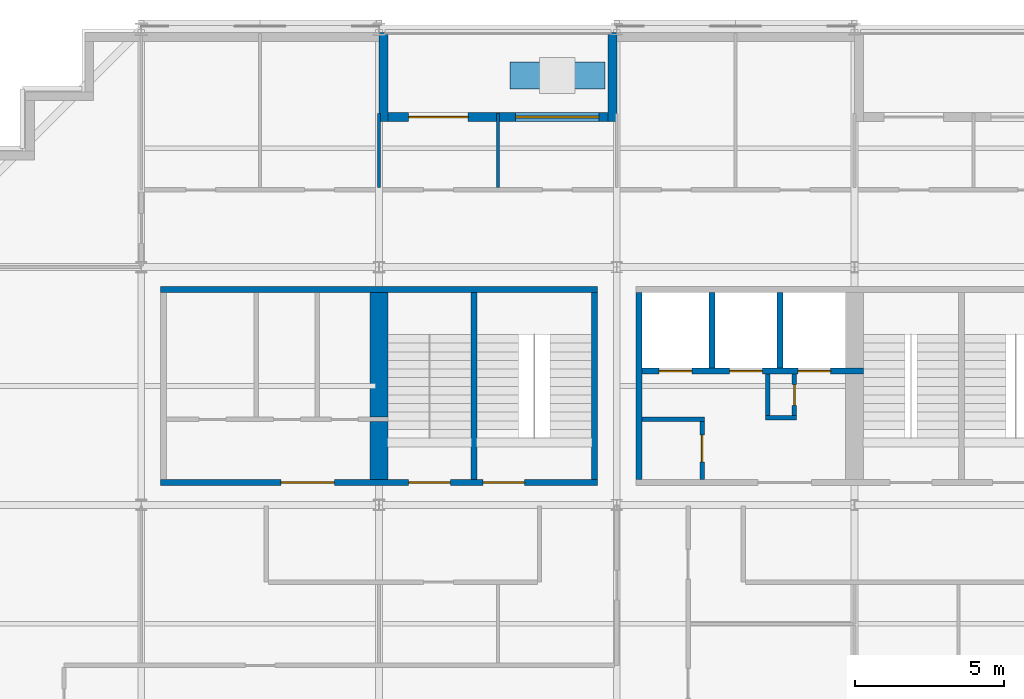
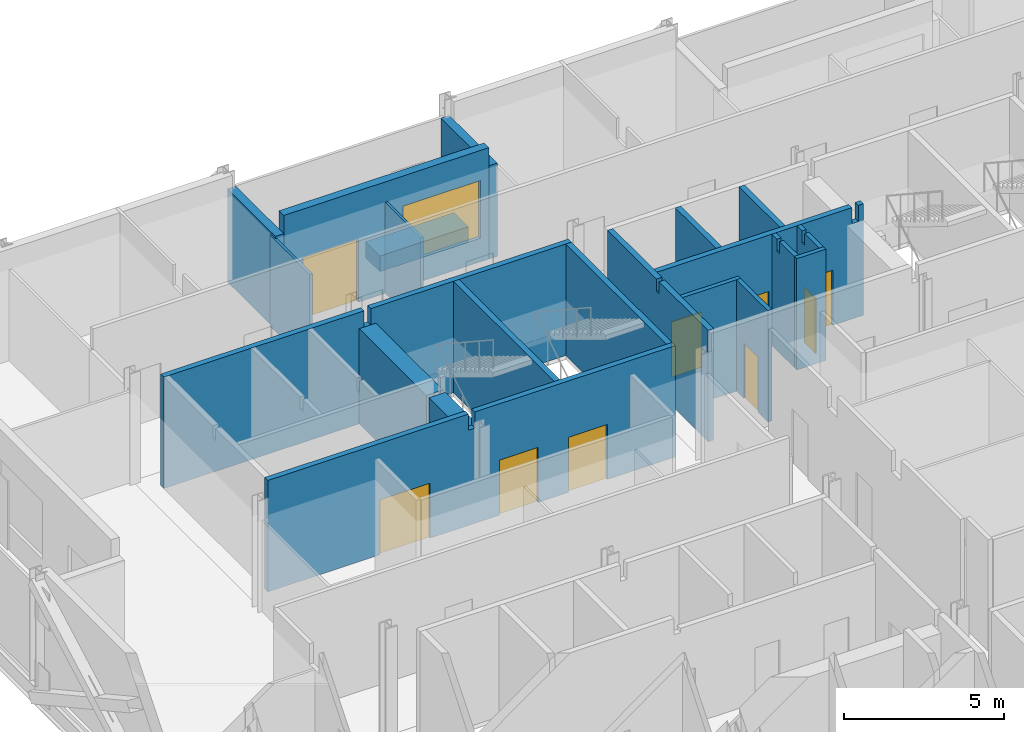
# One storey, part 10 of 15: 21 walls, 9 doors, 1 window, 10 openings.
"""IFC4 building model written with IfcOpenShell, lengths in metres."""

import ifcopenshell
import ifcopenshell.guid

model = None  # the IFC model being written
_history = None  # IfcOwnerHistory: only IFC2X3 demands one
_inside = {}  # id of a spatial element -> (the spatial element, [elements in it])
_under = {}  # id of a project, library or spatial element -> (it, [spatial elements below it])
_declared = {}  # id of a project -> (the project, [libraries it declares])
_typed = {}  # id of a type object -> (the type object, [elements of that type])
_made_of = {}  # id of a material, layer set ... -> (it, [elements and type objects made of it])


def new_model(schema):
    """Start an empty IFC model of exactly this schema.

    Asked for "IFC4X3", IfcOpenShell would pick the latest addendum, in which some entities
    have other attributes; the version numbers below select the first issue.
    IFC2X3 requires an IfcOwnerHistory on every rooted entity: one is made here for all.
    """
    global model, _history
    if schema == "IFC4X3":
        model = ifcopenshell.file(schema_version=(4, 3, 0, 0))
    else:
        model = ifcopenshell.file(schema=schema)
    _inside.clear()
    _under.clear()
    _declared.clear()
    _typed.clear()
    _made_of.clear()
    _history = None
    if model.schema == "IFC2X3":
        org = make("IfcOrganization", Name="unknown")
        user = make(
            "IfcPersonAndOrganization",
            ThePerson=make("IfcPerson", FamilyName="unknown"),
            TheOrganization=org,
        )
        app = make(
            "IfcApplication",
            ApplicationDeveloper=org,
            Version="unknown",
            ApplicationFullName="unknown",
            ApplicationIdentifier="unknown",
        )
        _history = make(
            "IfcOwnerHistory",
            OwningUser=user,
            OwningApplication=app,
            ChangeAction="ADDED",
            CreationDate=0,
        )
    return model


def make(cls, **values):
    """One entity of the class cls with the attributes given. An attribute that is None is left unset."""
    return model.create_entity(
        cls, **{name: value for name, value in values.items() if value is not None}
    )


def rooted(cls, **values):
    """An entity with a GlobalId (a new one), such as an element, a storey or a relation."""
    return make(cls, GlobalId=ifcopenshell.guid.new(), OwnerHistory=_history, **values)


def si_unit(unit_type, name, prefix=None):
    """IfcSIUnit, for example si_unit("LENGTHUNIT", "METRE", prefix="MILLI")."""
    return make("IfcSIUnit", UnitType=unit_type, Prefix=prefix, Name=name)


def assignment(units):
    """IfcUnitAssignment: the units of a project."""
    return None if units is None else make("IfcUnitAssignment", Units=units)


def point(xyz):
    """IfcCartesianPoint."""
    return None if xyz is None else make("IfcCartesianPoint", Coordinates=xyz)


def direction(xyz):
    """IfcDirection."""
    return None if xyz is None else make("IfcDirection", DirectionRatios=xyz)


def frame(location, z_axis=None, x_axis=None):
    """IfcAxis2Placement3D, a coordinate frame: its origin and axes. An axis left out is left unset."""
    return make(
        "IfcAxis2Placement3D",
        Location=point(location),
        Axis=direction(z_axis),
        RefDirection=direction(x_axis),
    )


def frame_2d(location, x_axis=None):
    """IfcAxis2Placement2D, a coordinate frame in the plane: its origin and x axis."""
    return make(
        "IfcAxis2Placement2D", Location=point(location), RefDirection=direction(x_axis)
    )


def origin():
    """The frame at (0, 0, 0) with its axes left unset."""
    return frame((0.0, 0.0, 0.0))


def place(relative_to, where):
    """IfcLocalPlacement: puts the frame where relative to a parent placement (None: the world)."""
    return make(
        "IfcLocalPlacement", PlacementRelTo=relative_to, RelativePlacement=where
    )


def context(
    kind, dimensions, precision=None, world=None, true_north=None, identifier=None
):
    """IfcGeometricRepresentationContext, for example the 3D "Model" context."""
    return make(
        "IfcGeometricRepresentationContext",
        ContextIdentifier=identifier,
        ContextType=kind,
        CoordinateSpaceDimension=dimensions,
        Precision=precision,
        WorldCoordinateSystem=world,
        TrueNorth=true_north,
    )


def subcontext(parent, identifier, kind, view, scale=None):
    """IfcGeometricRepresentationSubContext, for example "Body" below "Model"."""
    return make(
        "IfcGeometricRepresentationSubContext",
        ContextIdentifier=identifier,
        ContextType=kind,
        ParentContext=parent,
        TargetScale=scale,
        TargetView=view,
    )


def project(units=None, contexts=None):
    """IfcProject with its units and contexts."""
    return rooted(
        "IfcProject",
        Name="project",
        RepresentationContexts=contexts,
        UnitsInContext=assignment(units),
    )


def spatial(cls, under=None, at=None, **own):
    """A site, building, storey or space (cls), placed at a placement, below another one or the project."""
    s = rooted(cls, ObjectPlacement=at, **own)
    if under is not None:
        _under.setdefault(under.id(), (under, []))[1].append(s)
    return s


def polyline(points):
    """IfcPolyline through the points."""
    return make("IfcPolyline", Points=[point(p) for p in points])


def profile(cls, at=None, kind="AREA", **sizes):
    """A parametric profile (cls). Its sizes go by their IFC names, for example OverallWidth=200.0."""
    return make(cls, ProfileType=kind, Position=at, **sizes)


def rectangle(**sizes):
    """IfcRectangleProfileDef."""
    return profile("IfcRectangleProfileDef", **sizes)


def outline(outer, holes=None, kind="AREA"):
    """IfcArbitraryClosedProfileDef: a profile drawn as a closed curve; with holes, ...WithVoids."""
    if holes is None:
        return make("IfcArbitraryClosedProfileDef", ProfileType=kind, OuterCurve=outer)
    return make(
        "IfcArbitraryProfileDefWithVoids",
        ProfileType=kind,
        OuterCurve=outer,
        InnerCurves=holes,
    )


def extrude(swept, where, along, depth):
    """IfcExtrudedAreaSolid: the profile swept, set in the frame where, extruded along a direction by depth."""
    return make(
        "IfcExtrudedAreaSolid",
        SweptArea=swept,
        Position=where,
        ExtrudedDirection=direction(along),
        Depth=depth,
    )


def shape(context_of_items, identifier, shape_type, items):
    """IfcShapeRepresentation: the items that make up one representation, for example the "Body"."""
    return make(
        "IfcShapeRepresentation",
        ContextOfItems=context_of_items,
        RepresentationIdentifier=identifier,
        RepresentationType=shape_type,
        Items=items,
    )


def material(Name=None, Category=None):
    """IfcMaterial."""
    return make("IfcMaterial", Name=Name, Category=Category)


def layer(
    of_material, thickness, ventilated=None, Name=None, Category=None, Priority=None
):
    """IfcMaterialLayer: one layer of a wall or slab, of a material (None: an air gap)."""
    return make(
        "IfcMaterialLayer",
        Material=of_material,
        LayerThickness=thickness,
        IsVentilated=ventilated,
        Name=Name,
        Category=Category,
        Priority=Priority,
    )


def layer_set(layers, Name=None):
    """IfcMaterialLayerSet."""
    return make("IfcMaterialLayerSet", MaterialLayers=layers, LayerSetName=Name)


def made_of(thing, what):
    """Note that an element or type object is made of a material, layer set ...; save() writes the relation."""
    if what is not None:
        _made_of.setdefault(what.id(), (what, []))[1].append(thing)
    return thing


def type_object(cls, material=None, **own):
    """A type object (cls), such as IfcWallType, which elements share."""
    return made_of(rooted(cls, **own), material)


def element(
    cls,
    number,
    at=None,
    inside=None,
    cuts=None,
    type_object=None,
    material=None,
    context=None,
    identifier="Body",
    shape_type=None,
    held_by="IfcProductDefinitionShape",
    body=None,
    shapes=None,
    **own,
):
    """One element of the class cls, such as IfcWall. Its Tag is "e" and its number.

    at: its placement. inside: the storey or other place that contains it. cuts: it is an
    opening in that element (IfcRelVoidsElement). A single representation is given by context,
    identifier, shape_type and body (its items); several are given by shapes. held_by: the class
    of the entity that holds the representations. save() writes the other relations.
    """
    e = rooted(cls, Tag="e%d" % number, ObjectPlacement=at, **own)
    if body is not None:
        shapes = [shape(context, identifier, shape_type, body)]
    if shapes is not None:
        e.Representation = make(held_by, Representations=shapes)
    if inside is not None:
        _inside.setdefault(inside.id(), (inside, []))[1].append(e)
    if cuts is not None:
        rooted(
            "IfcRelVoidsElement", RelatingBuildingElement=cuts, RelatedOpeningElement=e
        )
    if type_object is not None:
        _typed.setdefault(type_object.id(), (type_object, []))[1].append(e)
    return made_of(e, material)


def fill(opening, filler):
    """IfcRelFillsElement: the door or window that sits in an opening."""
    return rooted(
        "IfcRelFillsElement",
        RelatingOpeningElement=opening,
        RelatedBuildingElement=filler,
    )


def aggregate(whole, parts):
    """IfcRelAggregates: a whole, such as a stair, and the parts it consists of."""
    return rooted("IfcRelAggregates", RelatingObject=whole, RelatedObjects=parts)


def save(model, path):
    """Write the relations noted so far, then the file.

    IfcRelAggregates (storeys below a building ...), IfcRelContainedInSpatialStructure (elements
    in a storey), IfcRelDefinesByType, IfcRelAssociatesMaterial and IfcRelDeclares: one each for
    every whole, place, type object, material and project.
    """
    for whole, parts in _under.values():
        aggregate(whole, parts)
    for where, things in _inside.values():
        rooted(
            "IfcRelContainedInSpatialStructure",
            RelatedElements=things,
            RelatingStructure=where,
        )
    for kind, things in _typed.values():
        rooted("IfcRelDefinesByType", RelatedObjects=things, RelatingType=kind)
    for what, things in _made_of.values():
        rooted("IfcRelAssociatesMaterial", RelatedObjects=things, RelatingMaterial=what)
    for by, libraries in _declared.values():
        rooted("IfcRelDeclares", RelatingContext=by, RelatedDefinitions=libraries)
    model.write(path)


model = new_model("IFC4")

# Units and contexts
model_context = context("Model", 3, precision=1e-05, world=origin(), true_north=direction((0.0, 1.0)))
body_context = subcontext(model_context, "Body", "Model", "MODEL_VIEW")
ifc_project = project(units=[si_unit("LENGTHUNIT", "METRE"), si_unit("AREAUNIT", "SQUARE_METRE"), si_unit("VOLUMEUNIT", "CUBIC_METRE"), si_unit("PLANEANGLEUNIT", "RADIAN"), si_unit("MASSUNIT", "GRAM", prefix="KILO")], contexts=[model_context])

# Site, building, storey
site_placement = place(None, origin())
site = spatial("IfcSite", under=ifc_project, at=site_placement, CompositionType="ELEMENT")
building_placement = place(site_placement, origin())
building = spatial("IfcBuilding", under=site, at=building_placement, Name="Immortelle Media Tower", CompositionType="ELEMENT")
storey_placement = place(building_placement, frame((0.0, 0.0, 105.199951171875)))
storey = spatial("IfcBuildingStorey", under=building, at=storey_placement, Name="L20", CompositionType="ELEMENT", Elevation=105.199951171875)

# Wall
ifc_material_1 = material(Name="Fire-rated gypsum board", Category="gypsum")
ifc_layer_1 = layer(ifc_material_1, 0.02490234375)
ifc_material_2 = material(Name="Steel ASTM A653 SS Gr 50 stud frame with mineral wool", Category="steel")
ifc_layer_2 = layer(ifc_material_2, 0.10009765625)
ifc_layer_3 = layer(ifc_material_1, 0.02490234375)
ifc_layer_set_1 = layer_set([ifc_layer_1, ifc_layer_2, ifc_layer_3], Name="Steel ASTM A653 SS Gr 50 stud frame with mineral wool")
wall_type_1 = type_object("IfcWallType", Name="Core partition 150", PredefinedType="PARTITIONING", material=ifc_layer_set_1)
wall_1_placement = place(storey_placement, frame((24.85009765625, 34.875, 0.0), z_axis=(0.0, 0.0, 1.0), x_axis=(1.0, 0.0, 0.0)))
element("IfcWall", 1, at=wall_1_placement, inside=storey, type_object=wall_type_1, Name="Core partition NE", PredefinedType="PARTITIONING", context=body_context, shape_type="SweptSolid", body=[
    extrude(rectangle(XDim=2.099853515625, YDim=0.14990234375, at=frame_2d((1.0498046875, 0.0))), origin(), (0.0, 0.0, 1.0), 4.25),
])

# Wall, opening, door
wall_2_placement = place(storey_placement, frame((26.875, 32.85009765625, 0.0), z_axis=(0.0, 0.0, 1.0), x_axis=(0.0, 1.0, 0.0)))
wall_2 = element("IfcWall", 2, at=wall_2_placement, inside=storey, type_object=wall_type_1, Name="Core partition NE", PredefinedType="PARTITIONING", context=body_context, shape_type="SweptSolid", body=[
    extrude(rectangle(XDim=1.949951171875, YDim=0.14990234375, at=frame_2d((0.97509765625, 0.0))), origin(), (0.0, 0.0, 1.0), 4.25),
])
opening_1_placement = place(wall_2_placement, frame((0.60009765625, 0.0, 0.0)))
opening_1 = element("IfcOpeningElement", 3, at=opening_1_placement, cuts=wall_2, Name="Opening N7-K028", PredefinedType="OPENING", context=body_context, shape_type="SweptSolid", body=[
    extrude(rectangle(XDim=0.89990234375, YDim=2.10009765625, at=frame_2d((0.449951171875, 1.050048828125))), frame((0.0, 0.0849609375, 0.0), z_axis=(0.0, -1.0, 0.0), x_axis=(1.0, 0.0, 0.0)), (0.0, 0.0, 1.0), 0.169921875),
])
ifc_material_3 = material(Name="Galvanised steel door leaf and frame ASTM A653", Category="steel")
door_type_1 = type_object("IfcDoorType", Name="Service door 900 x 2100", OperationType="NOTDEFINED", PredefinedType="NOTDEFINED", material=ifc_material_3)
door_1_placement = place(opening_1_placement, origin())
door_1 = element("IfcDoor", 4, at=door_1_placement, inside=storey, type_object=door_type_1, Name="Service N7-K028", OperationType="SINGLE_SWING_LEFT", OverallHeight=2.10009765625, OverallWidth=0.89990234375, PredefinedType="NOTDEFINED", context=body_context, shape_type="SweptSolid", body=[
    extrude(rectangle(XDim=0.89990234375, YDim=2.10009765625, at=frame_2d((0.449951171875, 1.050048828125))), frame((0.0, 0.02490234375, 0.0), z_axis=(0.0, -1.0, 0.0), x_axis=(1.0, 0.0, 0.0)), (0.0, 0.0, 1.0), 0.050048828125),
])
fill(opening_1, door_1)

# Walls
wall_3_placement = place(storey_placement, frame((29.0, 34.925048828125, 0.0), z_axis=(0.0, 0.0, 1.0), x_axis=(1.0, 0.0, 0.0)))
element("IfcWall", 5, at=wall_3_placement, inside=storey, type_object=wall_type_1, Name="Core partition NE", PredefinedType="PARTITIONING", context=body_context, shape_type="SweptSolid", body=[
    extrude(rectangle(XDim=1.050048828125, YDim=0.14990234375, at=frame_2d((0.52490234375, 0.0))), origin(), (0.0, 0.0, 1.0), 4.25),
])
wall_4_placement = place(storey_placement, frame((29.074951171875, 35.0, 0.0), z_axis=(0.0, 0.0, 1.0), x_axis=(0.0, 1.0, 0.0)))
element("IfcWall", 6, at=wall_4_placement, inside=storey, type_object=wall_type_1, Name="Core partition NE", PredefinedType="PARTITIONING", context=body_context, shape_type="SweptSolid", body=[
    extrude(outline(polyline([(0.0, 0.0), (1.39990234375, 0.0), (1.39990234375, 4.25), (1.08154296875, 4.25), (1.08056640625, 3.7890625), (0.91943359375, 3.7890625), (0.91845703125, 4.25), (0.0, 4.25), (0.0, 0.0)])), frame((0.0, 0.074951171875, 0.0), z_axis=(0.0, -1.0, 0.0), x_axis=(1.0, 0.0, 0.0)), (0.0, 0.0, 1.0), 0.14990234375),
])

# Wall, opening, door
wall_5_placement = place(storey_placement, frame((29.97509765625, 35.0, 0.0), z_axis=(0.0, 0.0, 1.0), x_axis=(0.0, 1.0, 0.0)))
wall_5 = element("IfcWall", 7, at=wall_5_placement, inside=storey, type_object=wall_type_1, Name="Core partition NE", PredefinedType="PARTITIONING", context=body_context, shape_type="SweptSolid", body=[
    extrude(outline(polyline([(0.0, 0.0), (1.39990234375, 0.0), (1.39990234375, 4.25), (1.08154296875, 4.25), (1.08056640625, 3.7890625), (0.91943359375, 3.7890625), (0.91845703125, 4.25), (0.0, 4.25), (0.0, 0.0)])), frame((0.0, 0.074951171875, 0.0), z_axis=(0.0, -1.0, 0.0), x_axis=(1.0, 0.0, 0.0)), (0.0, 0.0, 1.0), 0.14990234375),
])
opening_2_placement = place(wall_5_placement, frame((0.35009765625, 0.0, 0.0)))
opening_2 = element("IfcOpeningElement", 8, at=opening_2_placement, cuts=wall_5, Name="Opening N7-K031", PredefinedType="OPENING", context=body_context, shape_type="SweptSolid", body=[
    extrude(rectangle(XDim=0.699951171875, YDim=2.10009765625, at=frame_2d((0.35009765625, 1.050048828125))), frame((0.0, 0.0849609375, 0.0), z_axis=(0.0, -1.0, 0.0), x_axis=(1.0, 0.0, 0.0)), (0.0, 0.0, 1.0), 0.169921875),
])
door_type_2 = type_object("IfcDoorType", Name="Service door 700 x 2100", OperationType="NOTDEFINED", PredefinedType="NOTDEFINED", material=ifc_material_3)
door_2_placement = place(opening_2_placement, origin())
door_2 = element("IfcDoor", 9, at=door_2_placement, inside=storey, type_object=door_type_2, Name="Service N7-K031", OperationType="SINGLE_SWING_LEFT", OverallHeight=2.10009765625, OverallWidth=0.699951171875, PredefinedType="NOTDEFINED", context=body_context, shape_type="SweptSolid", body=[
    extrude(rectangle(XDim=0.699951171875, YDim=2.10009765625, at=frame_2d((0.35009765625, 1.050048828125))), frame((0.0, 0.02490234375, 0.0), z_axis=(0.0, -1.0, 0.0), x_axis=(1.0, 0.0, 0.0)), (0.0, 0.0, 1.0), 0.050048828125),
])
fill(opening_2, door_2)

# Wall
ifc_layer_4 = layer(ifc_material_1, 0.03759765625)
ifc_layer_5 = layer(ifc_material_2, 0.125)
ifc_layer_6 = layer(ifc_material_1, 0.03759765625)
ifc_layer_set_2 = layer_set([ifc_layer_4, ifc_layer_5, ifc_layer_6], Name="Steel ASTM A653 SS Gr 50 stud frame with mineral wool")
wall_type_2 = type_object("IfcWallType", Name="Core shaft wall 200", PredefinedType="PARTITIONING", material=ifc_layer_set_2)
wall_6_placement = place(storey_placement, frame((24.75, 32.85009765625, 0.0), z_axis=(0.0, 0.0, 1.0), x_axis=(0.0, 1.0, 0.0)))
element("IfcWall", 10, at=wall_6_placement, inside=storey, type_object=wall_type_2, Name="Core shaft wall NE", PredefinedType="PARTITIONING", context=body_context, shape_type="SweptSolid", body=[
    extrude(outline(polyline([(0.0, 0.0), (6.2998046875, 0.0), (6.300048828125, 4.25), (3.2314453125, 4.25), (3.23046875, 3.7890625), (3.069580078125, 3.7890625), (3.068603515625, 4.25), (0.0, 4.25), (0.0, 0.0)])), frame((0.0, 0.10009765625, 0.0), z_axis=(0.0, -1.0, 0.0), x_axis=(1.0, 0.0, 0.0)), (0.0, 0.0, 1.0), 0.199951171875),
])

# Wall, openings, doors
wall_7_placement = place(storey_placement, frame((24.85009765625, 36.5, 0.0), z_axis=(0.0, 0.0, 1.0), x_axis=(1.0, 0.0, 0.0)))
wall_7 = element("IfcWall", 11, at=wall_7_placement, inside=storey, type_object=wall_type_2, Name="Core shaft wall NE", PredefinedType="PARTITIONING", context=body_context, shape_type="SweptSolid", body=[
    extrude(outline(polyline([(0.0, 0.0), (7.449951171875, 0.0), (7.449951171875, 4.25), (7.26953125, 4.25), (7.2685546875, 3.632080078125), (7.031494140625, 3.632080078125), (7.030517578125, 4.25), (0.0, 4.25), (0.0, 0.0)])), frame((0.0, 0.10009765625, 0.0), z_axis=(0.0, -1.0, 0.0), x_axis=(1.0, 0.0, 0.0)), (0.0, 0.0, 1.0), 0.199951171875),
])
opening_3_placement = place(wall_7_placement, frame((0.574951171875, 0.0, 0.0)))
opening_3 = element("IfcOpeningElement", 12, at=opening_3_placement, cuts=wall_7, Name="Opening LD", PredefinedType="OPENING", context=body_context, shape_type="SweptSolid", body=[
    extrude(rectangle(XDim=1.10009765625, YDim=2.10009765625, at=frame_2d((0.550048828125, 1.050048828125))), frame((0.0, 0.10986328125, 0.0), z_axis=(0.0, -1.0, 0.0), x_axis=(1.0, 0.0, 0.0)), (0.0, 0.0, 1.0), 0.219970703125),
])
opening_4_placement = place(wall_7_placement, frame((2.949951171875, 0.0, 0.0)))
opening_4 = element("IfcOpeningElement", 13, at=opening_4_placement, cuts=wall_7, Name="Opening LD", PredefinedType="OPENING", context=body_context, shape_type="SweptSolid", body=[
    extrude(rectangle(XDim=1.10009765625, YDim=2.10009765625, at=frame_2d((0.550048828125, 1.050048828125))), frame((0.0, 0.10986328125, 0.0), z_axis=(0.0, -1.0, 0.0), x_axis=(1.0, 0.0, 0.0)), (0.0, 0.0, 1.0), 0.219970703125),
])
opening_5_placement = place(wall_7_placement, frame((5.25, 0.0, 0.0)))
opening_5 = element("IfcOpeningElement", 14, at=opening_5_placement, cuts=wall_7, Name="Opening LD", PredefinedType="OPENING", context=body_context, shape_type="SweptSolid", body=[
    extrude(rectangle(XDim=1.10009765625, YDim=2.10009765625, at=frame_2d((0.550048828125, 1.050048828125))), frame((0.0, 0.10986328125, 0.0), z_axis=(0.0, -1.0, 0.0), x_axis=(1.0, 0.0, 0.0)), (0.0, 0.0, 1.0), 0.219970703125),
])
ifc_material_4 = material(Name="Stainless steel AISI 304", Category="steel")
door_type_3 = type_object("IfcDoorType", Name="Landing door 1100 x 2100", OperationType="SLIDING_TO_LEFT", PredefinedType="NOTDEFINED", material=ifc_material_4)
door_3_placement = place(opening_3_placement, origin())
door_3 = element("IfcDoor", 15, at=door_3_placement, inside=storey, type_object=door_type_3, Name="Landing door LR1 L20", OperationType="SLIDING_TO_LEFT", OverallHeight=2.10009765625, OverallWidth=1.10009765625, PredefinedType="NOTDEFINED", context=body_context, shape_type="SweptSolid", body=[
    extrude(rectangle(XDim=1.10009765625, YDim=2.10009765625, at=frame_2d((0.550048828125, 1.050048828125))), frame((0.0, 0.02490234375, 0.0), z_axis=(0.0, -1.0, 0.0), x_axis=(1.0, 0.0, 0.0)), (0.0, 0.0, 1.0), 0.050048828125),
])
fill(opening_3, door_3)
door_4_placement = place(opening_4_placement, origin())
door_4 = element("IfcDoor", 16, at=door_4_placement, inside=storey, type_object=door_type_3, Name="Landing door LR2 L20", OperationType="SLIDING_TO_LEFT", OverallHeight=2.10009765625, OverallWidth=1.10009765625, PredefinedType="NOTDEFINED", context=body_context, shape_type="SweptSolid", body=[
    extrude(rectangle(XDim=1.10009765625, YDim=2.10009765625, at=frame_2d((0.550048828125, 1.050048828125))), frame((0.0, 0.02490234375, 0.0), z_axis=(0.0, -1.0, 0.0), x_axis=(1.0, 0.0, 0.0)), (0.0, 0.0, 1.0), 0.050048828125),
])
fill(opening_4, door_4)
door_5_placement = place(opening_5_placement, origin())
door_5 = element("IfcDoor", 17, at=door_5_placement, inside=storey, type_object=door_type_3, Name="Landing door LR3 L20", OperationType="SLIDING_TO_LEFT", OverallHeight=2.10009765625, OverallWidth=1.10009765625, PredefinedType="NOTDEFINED", context=body_context, shape_type="SweptSolid", body=[
    extrude(rectangle(XDim=1.10009765625, YDim=2.10009765625, at=frame_2d((0.550048828125, 1.050048828125))), frame((0.0, 0.02490234375, 0.0), z_axis=(0.0, -1.0, 0.0), x_axis=(1.0, 0.0, 0.0)), (0.0, 0.0, 1.0), 0.050048828125),
])
fill(opening_5, door_5)

# Walls
for number, where, z_axis, x_axis, name in (
    (18, (27.199951171875, 36.60009765625, 0.0), (0.0, 0.0, 1.0), (0.0, 1.0, 0.0), "Core shaft wall NE"),
    (19, (29.5, 36.60009765625, 0.0), (0.0, 0.0, 1.0), (0.0, 1.0, 0.0), "Core shaft wall NE"),
):
    element("IfcWall", number, at=place(storey_placement, frame(where, z_axis=z_axis, x_axis=x_axis)), inside=storey, type_object=wall_type_2, Name=name, PredefinedType="PARTITIONING", context=body_context, shape_type="SweptSolid", body=[
        extrude(rectangle(XDim=2.5498046875, YDim=0.199951171875, at=frame_2d((1.27490234375, 0.0))), origin(), (0.0, 0.0, 1.0), 4.25),
    ])

# Wall, openings, door, window
ifc_material_5 = material(Name="Pale aluminium cladding panel", Category="aluminium")
ifc_layer_7 = layer(ifc_material_5, 0.030029296875)
ifc_layer_8 = layer(ifc_material_2, 0.257568359375)
ifc_material_6 = material(Name="Moisture-resistant gypsum board", Category="gypsum")
ifc_layer_9 = layer(ifc_material_6, 0.012451171875)
ifc_layer_set_3 = layer_set([ifc_layer_7, ifc_layer_8, ifc_layer_9], Name="Steel ASTM A653 SS Gr 50 stud frame with mineral wool")
wall_type_3 = type_object("IfcWallType", Name="Facade wall 300", PredefinedType="SOLIDWALL", material=ifc_layer_set_3)
wall_8_placement = place(storey_placement, frame((23.699951171875, 45.050048828125, 0.0), z_axis=(0.0, 0.0, 1.0), x_axis=(-1.0, 0.0, 0.0)))
wall_8 = element("IfcWall", 20, at=wall_8_placement, inside=storey, type_object=wall_type_3, Name="Loggia wall L20 N21", PredefinedType="SOLIDWALL", context=body_context, shape_type="SweptSolid", body=[
    extrude(rectangle(XDim=7.39990234375, YDim=0.300048828125, at=frame_2d((3.699951171875, 0.0))), origin(), (0.0, 0.0, 1.0), 4.25),
])
opening_6_placement = place(wall_8_placement, frame((0.300048828125, 0.0, 0.89990234375)))
opening_6 = element("IfcOpeningElement", 21, at=opening_6_placement, cuts=wall_8, Name="Opening W1", PredefinedType="OPENING", context=body_context, shape_type="SweptSolid", body=[
    extrude(rectangle(XDim=2.800048828125, YDim=2.199951171875, at=frame_2d((1.39990234375, 1.10009765625))), frame((0.0, 0.159912109375, 0.0), z_axis=(0.0, -1.0, 0.0), x_axis=(1.0, 0.0, 0.0)), (0.0, 0.0, 1.0), 0.320068359375),
])
opening_7_placement = place(wall_8_placement, frame((4.699951171875, 0.0, 0.0)))
opening_7 = element("IfcOpeningElement", 22, at=opening_7_placement, cuts=wall_8, Name="Opening N7-E008", PredefinedType="OPENING", context=body_context, shape_type="SweptSolid", body=[
    extrude(rectangle(XDim=2.0, YDim=2.39990234375, at=frame_2d((1.0, 1.199951171875))), frame((0.0, 0.159912109375, 0.0), z_axis=(0.0, -1.0, 0.0), x_axis=(1.0, 0.0, 0.0)), (0.0, 0.0, 1.0), 0.320068359375),
])
ifc_material_7 = material(Name="Aluminium frame, glazed leaves", Category="aluminium")
door_type_4 = type_object("IfcDoorType", Name="Loggia door 2000 x 2400", OperationType="DOUBLE_DOOR_SINGLE_SWING", PredefinedType="DOOR", material=ifc_material_7)
door_6_placement = place(opening_7_placement, origin())
door_6 = element("IfcDoor", 23, at=door_6_placement, inside=storey, type_object=door_type_4, Name="Door N7-E008", OperationType="DOUBLE_DOOR_SINGLE_SWING", OverallHeight=2.39990234375, OverallWidth=2.0, PredefinedType="DOOR", context=body_context, shape_type="SweptSolid", body=[
    extrude(rectangle(XDim=2.0, YDim=2.39990234375, at=frame_2d((1.0, 1.199951171875))), frame((0.0, 0.02490234375, 0.0), z_axis=(0.0, -1.0, 0.0), x_axis=(1.0, 0.0, 0.0)), (0.0, 0.0, 1.0), 0.050048828125),
])
fill(opening_7, door_6)
ifc_material_8 = material(Name="Aluminium frame", Category="aluminium")
window_type = type_object("IfcWindowType", Name="Window 2800 x 2200", PartitioningType="SINGLE_PANEL", PredefinedType="WINDOW", material=ifc_material_8)
window_placement = place(opening_6_placement, origin())
window = element("IfcWindow", 24, at=window_placement, inside=storey, type_object=window_type, Name="Window L20 L20-R21-B2", OverallHeight=2.199951171875, OverallWidth=2.800048828125, PartitioningType="SINGLE_PANEL", PredefinedType="WINDOW", context=body_context, shape_type="SweptSolid", body=[
    extrude(rectangle(XDim=2.800048828125, YDim=2.199951171875, at=frame_2d((1.39990234375, 1.10009765625))), frame((0.0, 0.030029296875, 0.0), z_axis=(0.0, -1.0, 0.0), x_axis=(1.0, 0.0, 0.0)), (0.0, 0.0, 1.0), 0.06005859375),
])
fill(opening_6, window)

# Walls
for number, where, z_axis, x_axis, name in (
    (25, (23.85009765625, 47.89990234375, 0.0), (0.0, 0.0, 1.0), (0.0, -1.0, 0.0), "Loggia cheek wall L20 N"),
    (26, (16.14990234375, 47.89990234375, 0.0), (0.0, 0.0, 1.0), (0.0, -1.0, 0.0), "Loggia cheek wall L20 N"),
):
    element("IfcWall", number, at=place(storey_placement, frame(where, z_axis=z_axis, x_axis=x_axis)), inside=storey, type_object=wall_type_3, Name=name, PredefinedType="SOLIDWALL", context=body_context, shape_type="SweptSolid", body=[
        extrude(rectangle(XDim=3.0, YDim=0.300048828125, at=frame_2d((1.5, 0.0))), origin(), (0.0, 0.0, 1.0), 3.55615234375),
    ])
ifc_material_9 = material(Name="Gypsum board", Category="gypsum")
ifc_layer_10 = layer(ifc_material_9, 0.012451171875)
ifc_layer_11 = layer(ifc_material_2, 0.074951171875)
ifc_layer_12 = layer(ifc_material_9, 0.012451171875)
ifc_layer_set_4 = layer_set([ifc_layer_10, ifc_layer_11, ifc_layer_12], Name="Steel ASTM A653 SS Gr 50 stud frame with mineral wool")
wall_type_4 = type_object("IfcWallType", Name="Partition 100", PredefinedType="PARTITIONING", material=ifc_layer_set_4)
for number, where, z_axis, x_axis, name in (
    (27, (16.0, 42.675048828125, 0.0), (0.0, 0.0, 1.0), (0.0, 1.0, 0.0), "Partition L20-048"),
    (28, (20.0, 42.675048828125, 0.0), (0.0, 0.0, 1.0), (0.0, 1.0, 0.0), "Partition L20-049"),
):
    element("IfcWall", number, at=place(storey_placement, frame(where, z_axis=z_axis, x_axis=x_axis)), inside=storey, type_object=wall_type_4, Name=name, PredefinedType="PARTITIONING", context=body_context, shape_type="SweptSolid", body=[
        extrude(rectangle(XDim=2.494873046875, YDim=0.10009765625, at=frame_2d((1.24755859375, 0.0))), origin(), (0.0, 0.0, 1.0), 3.469970703125),
    ])
ifc_layer_13 = layer(ifc_material_5, 0.0029296875)
ifc_material_10 = material(Name="Steel ASTM A572 Gr 50 planter shell", Category="steel")
ifc_layer_14 = layer(ifc_material_10, 0.011962890625)
ifc_material_11 = material(Name="Planting substrate", Category="soil")
ifc_layer_15 = layer(ifc_material_11, 0.873046875)
ifc_layer_16 = layer(ifc_material_10, 0.011962890625)
ifc_layer_set_5 = layer_set([ifc_layer_13, ifc_layer_14, ifc_layer_15, ifc_layer_16], Name="Steel ASTM A572 Gr 50 planter shell")
wall_type_5 = type_object("IfcWallType", Name="Planter wall 900", PredefinedType="SOLIDWALL", material=ifc_layer_set_5)
wall_9_placement = place(storey_placement, frame((23.60009765625, 46.449951171875, 0.0), z_axis=(0.0, 0.0, 1.0), x_axis=(-1.0, 0.0, 0.0)))
element("IfcWall", 29, at=wall_9_placement, inside=storey, type_object=wall_type_5, Name="Planter L20 N2", PredefinedType="SOLIDWALL", context=body_context, shape_type="SweptSolid", body=[
    extrude(rectangle(XDim=3.2001953125, YDim=0.89990234375, at=frame_2d((1.60009765625, 0.0))), origin(), (0.0, 0.0, 1.0), 0.60009765625),
])

# Wall, openings, doors
ifc_material_12 = material(Name="Concrete C60", Category="concrete")
ifc_layer_17 = layer(ifc_material_12, 0.199951171875)
ifc_layer_set_6 = layer_set([ifc_layer_17], Name="Concrete C60")
wall_type_6 = type_object("IfcWallType", Name="Stair shaft wall 200", PredefinedType="PARTITIONING", material=ifc_layer_set_6)
wall_10_placement = place(storey_placement, frame((8.64990234375, 32.75, 0.0), z_axis=(0.0, 0.0, 1.0), x_axis=(1.0, 0.0, 0.0)))
wall_10 = element("IfcWall", 30, at=wall_10_placement, inside=storey, type_object=wall_type_6, Name="Stair shaft wall NW", PredefinedType="PARTITIONING", context=body_context, shape_type="SweptSolid", body=[
    extrude(outline(polyline([(0.0, 0.0), (14.7001953125, 0.0), (14.699951171875, 4.25), (7.469482421875, 4.25), (7.468505859375, 3.632080078125), (7.2314453125, 3.632080078125), (7.23046875, 4.25), (0.0, 4.25), (0.0, 0.0)])), frame((0.0, 0.10009765625, 0.0), z_axis=(0.0, -1.0, 0.0), x_axis=(1.0, 0.0, 0.0)), (0.0, 0.0, 1.0), 0.199951171875),
])
opening_8_placement = place(wall_10_placement, frame((4.050048828125, 0.0, 0.0)))
opening_8 = element("IfcOpeningElement", 31, at=opening_8_placement, cuts=wall_10, Name="Opening N7-K023", PredefinedType="OPENING", context=body_context, shape_type="SweptSolid", body=[
    extrude(rectangle(XDim=1.800048828125, YDim=2.10009765625, at=frame_2d((0.89990234375, 1.050048828125))), frame((0.0, 0.10986328125, 0.0), z_axis=(0.0, -1.0, 0.0), x_axis=(1.0, 0.0, 0.0)), (0.0, 0.0, 1.0), 0.219970703125),
])
opening_9_placement = place(wall_10_placement, frame((8.35009765625, 0.0, 0.0)))
opening_9 = element("IfcOpeningElement", 32, at=opening_9_placement, cuts=wall_10, Name="Opening N7-K025", PredefinedType="OPENING", context=body_context, shape_type="SweptSolid", body=[
    extrude(rectangle(XDim=1.39990234375, YDim=2.10009765625, at=frame_2d((0.699951171875, 1.050048828125))), frame((0.0, 0.10986328125, 0.0), z_axis=(0.0, -1.0, 0.0), x_axis=(1.0, 0.0, 0.0)), (0.0, 0.0, 1.0), 0.219970703125),
])
opening_10_placement = place(wall_10_placement, frame((10.85009765625, 0.0, 0.0)))
opening_10 = element("IfcOpeningElement", 33, at=opening_10_placement, cuts=wall_10, Name="Opening N7-K026", PredefinedType="OPENING", context=body_context, shape_type="SweptSolid", body=[
    extrude(rectangle(XDim=1.39990234375, YDim=2.10009765625, at=frame_2d((0.699951171875, 1.050048828125))), frame((0.0, 0.10986328125, 0.0), z_axis=(0.0, -1.0, 0.0), x_axis=(1.0, 0.0, 0.0)), (0.0, 0.0, 1.0), 0.219970703125),
])
door_type_5 = type_object("IfcDoorType", Name="Lift lobby door 1800 x 2100", OperationType="DOUBLE_DOOR_SINGLE_SWING", PredefinedType="NOTDEFINED", material=ifc_material_3)
door_7_placement = place(opening_8_placement, origin())
door_7 = element("IfcDoor", 34, at=door_7_placement, inside=storey, type_object=door_type_5, Name="Lift lobby N7-K023", OperationType="DOUBLE_DOOR_SINGLE_SWING", OverallHeight=2.10009765625, OverallWidth=1.800048828125, PredefinedType="NOTDEFINED", context=body_context, shape_type="SweptSolid", body=[
    extrude(rectangle(XDim=1.800048828125, YDim=2.10009765625, at=frame_2d((0.89990234375, 1.050048828125))), frame((0.0, 0.02490234375, 0.0), z_axis=(0.0, -1.0, 0.0), x_axis=(1.0, 0.0, 0.0)), (0.0, 0.0, 1.0), 0.050048828125),
])
fill(opening_8, door_7)
door_type_6 = type_object("IfcDoorType", Name="Stair door 1400 x 2100", OperationType="DOUBLE_DOOR_SINGLE_SWING", PredefinedType="NOTDEFINED", material=ifc_material_3)
door_8_placement = place(opening_9_placement, origin())
door_8 = element("IfcDoor", 35, at=door_8_placement, inside=storey, type_object=door_type_6, Name="Stair N7-K025", OperationType="DOUBLE_DOOR_SINGLE_SWING", OverallHeight=2.10009765625, OverallWidth=1.39990234375, PredefinedType="NOTDEFINED", context=body_context, shape_type="SweptSolid", body=[
    extrude(rectangle(XDim=1.39990234375, YDim=2.10009765625, at=frame_2d((0.699951171875, 1.050048828125))), frame((0.0, 0.02490234375, 0.0), z_axis=(0.0, -1.0, 0.0), x_axis=(1.0, 0.0, 0.0)), (0.0, 0.0, 1.0), 0.050048828125),
])
fill(opening_9, door_8)
door_9_placement = place(opening_10_placement, origin())
door_9 = element("IfcDoor", 36, at=door_9_placement, inside=storey, type_object=door_type_6, Name="Stair N7-K026", OperationType="DOUBLE_DOOR_SINGLE_SWING", OverallHeight=2.10009765625, OverallWidth=1.39990234375, PredefinedType="NOTDEFINED", context=body_context, shape_type="SweptSolid", body=[
    extrude(rectangle(XDim=1.39990234375, YDim=2.10009765625, at=frame_2d((0.699951171875, 1.050048828125))), frame((0.0, 0.02490234375, 0.0), z_axis=(0.0, -1.0, 0.0), x_axis=(1.0, 0.0, 0.0)), (0.0, 0.0, 1.0), 0.050048828125),
])
fill(opening_10, door_9)

# Walls
wall_11_placement = place(storey_placement, frame((8.64990234375, 39.25, 0.0), z_axis=(0.0, 0.0, 1.0), x_axis=(1.0, 0.0, 0.0)))
element("IfcWall", 37, at=wall_11_placement, inside=storey, type_object=wall_type_6, Name="Stair shaft wall NW", PredefinedType="PARTITIONING", context=body_context, shape_type="SweptSolid", body=[
    extrude(outline(polyline([(0.0, 0.0), (14.7001953125, 0.0), (14.699951171875, 4.25), (7.469482421875, 4.25), (7.468505859375, 3.632080078125), (7.2314453125, 3.632080078125), (7.23046875, 4.25), (0.0, 4.25), (0.0, 0.0)])), frame((0.0, 0.10009765625, 0.0), z_axis=(0.0, -1.0, 0.0), x_axis=(1.0, 0.0, 0.0)), (0.0, 0.0, 1.0), 0.199951171875),
])
for number, where, z_axis, x_axis, name in (
    (38, (19.199951171875, 32.85009765625, 0.0), (0.0, 0.0, 1.0), (0.0, 1.0, 0.0), "Stair shaft wall NW"),
    (39, (23.25, 32.85009765625, 0.0), (0.0, 0.0, 1.0), (0.0, 1.0, 0.0), "Stair shaft wall NW"),
):
    element("IfcWall", number, at=place(storey_placement, frame(where, z_axis=z_axis, x_axis=x_axis)), inside=storey, type_object=wall_type_6, Name=name, PredefinedType="PARTITIONING", context=body_context, shape_type="SweptSolid", body=[
        extrude(rectangle(XDim=6.2998046875, YDim=0.199951171875, at=frame_2d((3.14990234375, 0.0))), origin(), (0.0, 0.0, 1.0), 4.25),
    ])
ifc_layer_18 = layer(ifc_material_12, 0.60009765625)
ifc_layer_set_7 = layer_set([ifc_layer_18], Name="Concrete C60")
wall_type_7 = type_object("IfcWallType", Name="Stair shaft wall 600", PredefinedType="PARTITIONING", material=ifc_layer_set_7)
wall_12_placement = place(storey_placement, frame((16.0, 32.85009765625, 0.0), z_axis=(0.0, 0.0, 1.0), x_axis=(0.0, 1.0, 0.0)))
element("IfcWall", 40, at=wall_12_placement, inside=storey, type_object=wall_type_7, Name="Stair shaft wall NW", PredefinedType="PARTITIONING", context=body_context, shape_type="SweptSolid", body=[
    extrude(rectangle(XDim=1.949951171875, YDim=0.60009765625, at=frame_2d((0.97509765625, 0.0))), origin(), (0.0, 0.0, 1.0), 3.632080078125),
])
wall_13_placement = place(storey_placement, frame((16.0, 34.949951171875, 0.0), z_axis=(0.0, 0.0, 1.0), x_axis=(0.0, 1.0, 0.0)))
element("IfcWall", 41, at=wall_13_placement, inside=storey, type_object=wall_type_7, Name="Stair shaft wall NW", PredefinedType="PARTITIONING", context=body_context, shape_type="SweptSolid", body=[
    extrude(rectangle(XDim=4.199951171875, YDim=0.60009765625, at=frame_2d((2.10009765625, 0.0))), origin(), (0.0, 0.0, 1.0), 3.632080078125),
])

save(model, "model.ifc")
